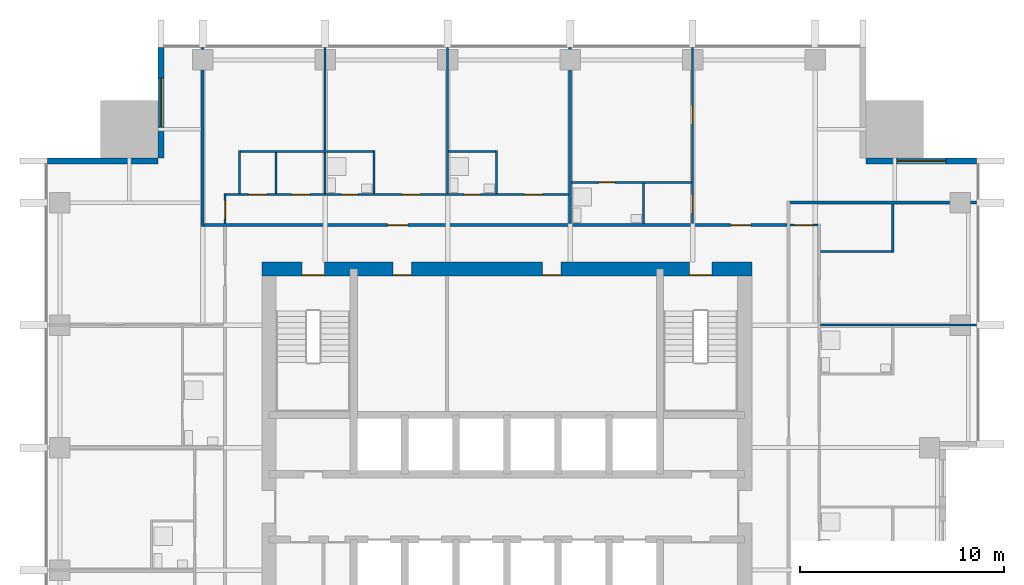
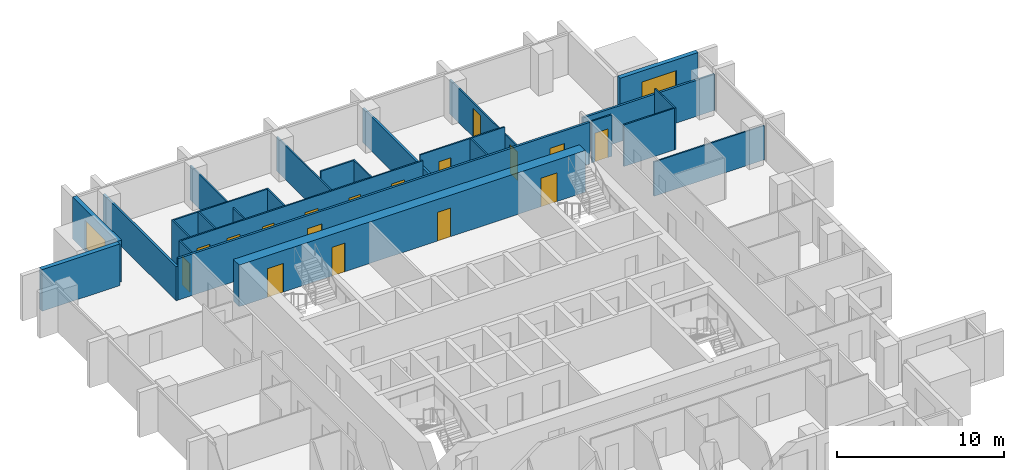
# One storey, part 7 of 10: 25 walls, 17 doors, 2 windows, 19 openings.
"""IFC4 building model written with IfcOpenShell, lengths in metres."""

from ifc_helpers import new_model, si_unit, direction, frame, frame_2d, origin, place, context, subcontext, project, spatial, rectangle, extrude, material, layer, layer_set, type_object, element, fill, save


model = new_model("IFC4")

# Units and contexts
model_context = context("Model", 3, precision=1e-05, world=origin(), true_north=direction((0.0, 1.0)))
body_context = subcontext(model_context, "Body", "Model", "MODEL_VIEW")
ifc_project = project(units=[si_unit("LENGTHUNIT", "METRE"), si_unit("AREAUNIT", "SQUARE_METRE"), si_unit("VOLUMEUNIT", "CUBIC_METRE"), si_unit("PLANEANGLEUNIT", "RADIAN"), si_unit("MASSUNIT", "GRAM", prefix="KILO")], contexts=[model_context])

# Site, building, storey
site_placement = place(None, origin())
site = spatial("IfcSite", under=ifc_project, at=site_placement, CompositionType="ELEMENT")
building_placement = place(site_placement, origin())
building = spatial("IfcBuilding", under=site, at=building_placement, Name="Amberfall Residences", CompositionType="ELEMENT")
storey_placement = place(building_placement, frame((0.0, 0.0, 137.199951171875)))
storey = spatial("IfcBuildingStorey", under=building, at=storey_placement, Name="L36", CompositionType="ELEMENT", Elevation=137.199951171875)

# Wall, opening, window
ifc_material_1 = material(Name="Pale stone cladding on insulated backing", Category="masonry")
ifc_layer_1 = layer(ifc_material_1, 0.300048828125)
ifc_layer_set_1 = layer_set([ifc_layer_1], Name="Bronze clad wall 300")
wall_type_1 = type_object("IfcWallType", Name="Bronze clad wall 300", PredefinedType="SOLIDWALL", material=ifc_layer_set_1)
wall_1_placement = place(storey_placement, frame((97.5, 62.449951171875, 0.0), z_axis=(0.0, 0.0, 1.0), x_axis=(-1.0, 0.0, 0.0)))
wall_1 = element("IfcWall", 1, at=wall_1_placement, inside=storey, type_object=wall_type_1, Name="External wall L36 NE", PredefinedType="SOLIDWALL", context=body_context, shape_type="SweptSolid", body=[
    extrude(rectangle(XDim=5.39990234375, YDim=0.300048828125, at=frame_2d((2.699951171875, 0.0))), origin(), (0.0, 0.0, 1.0), 3.050048828125),
])
opening_1_placement = place(wall_1_placement, frame((1.5, 0.0, 0.14990234375)))
opening_1 = element("IfcOpeningElement", 2, at=opening_1_placement, cuts=wall_1, Name="Opening WN5", PredefinedType="OPENING", context=body_context, shape_type="SweptSolid", body=[
    extrude(rectangle(XDim=2.39990234375, YDim=2.10009765625, at=frame_2d((1.199951171875, 1.050048828125))), frame((0.0, 0.159912109375, 0.0), z_axis=(0.0, -1.0, 0.0), x_axis=(1.0, 0.0, 0.0)), (0.0, 0.0, 1.0), 0.320068359375),
])
ifc_material_2 = material(Name="Bronze aluminium framed glazing", Category="aluminium")
window_type = type_object("IfcWindowType", Name="Glazed opening 2400 x 2100 bronze", PartitioningType="DOUBLE_PANEL_VERTICAL", PredefinedType="WINDOW", material=ifc_material_2)
window_1_placement = place(opening_1_placement, origin())
window_1 = element("IfcWindow", 3, at=window_1_placement, inside=storey, type_object=window_type, Name="Window L36 NE", OverallHeight=2.10009765625, OverallWidth=2.39990234375, PartitioningType="DOUBLE_PANEL_VERTICAL", PredefinedType="WINDOW", context=body_context, shape_type="SweptSolid", body=[
    extrude(rectangle(XDim=2.39990234375, YDim=2.10009765625, at=frame_2d((1.199951171875, 1.050048828125))), frame((0.0, 0.030029296875, 0.0), z_axis=(0.0, -1.0, 0.0), x_axis=(1.0, 0.0, 0.0)), (0.0, 0.0, 1.0), 0.06005859375),
])
fill(opening_1, window_1)

wall_2_placement = place(storey_placement, frame((57.550048828125, 68.0, 0.0), z_axis=(0.0, 0.0, 1.0), x_axis=(0.0, -1.0, 0.0)))
wall_2 = element("IfcWall", 4, at=wall_2_placement, inside=storey, type_object=wall_type_1, Name="External wall L36 NW", PredefinedType="SOLIDWALL", context=body_context, shape_type="SweptSolid", body=[
    extrude(rectangle(XDim=5.39990234375, YDim=0.300048828125, at=frame_2d((2.699951171875, 0.0))), origin(), (0.0, 0.0, 1.0), 3.050048828125),
])
opening_2_placement = place(wall_2_placement, frame((1.5, 0.0, 0.14990234375)))
opening_2 = element("IfcOpeningElement", 5, at=opening_2_placement, cuts=wall_2, Name="Opening WN5", PredefinedType="OPENING", context=body_context, shape_type="SweptSolid", body=[
    extrude(rectangle(XDim=2.39990234375, YDim=2.10009765625, at=frame_2d((1.199951171875, 1.050048828125))), frame((0.0, 0.159912109375, 0.0), z_axis=(0.0, -1.0, 0.0), x_axis=(1.0, 0.0, 0.0)), (0.0, 0.0, 1.0), 0.320068359375),
])
window_2_placement = place(opening_2_placement, origin())
window_2 = element("IfcWindow", 6, at=window_2_placement, inside=storey, type_object=window_type, Name="Window L36 NW", OverallHeight=2.10009765625, OverallWidth=2.39990234375, PartitioningType="DOUBLE_PANEL_VERTICAL", PredefinedType="WINDOW", context=body_context, shape_type="SweptSolid", body=[
    extrude(rectangle(XDim=2.39990234375, YDim=2.10009765625, at=frame_2d((1.199951171875, 1.050048828125))), frame((0.0, 0.030029296875, 0.0), z_axis=(0.0, -1.0, 0.0), x_axis=(1.0, 0.0, 0.0)), (0.0, 0.0, 1.0), 0.06005859375),
])
fill(opening_2, window_2)

# Wall
wall_3_placement = place(storey_placement, frame((57.39990234375, 62.449951171875, 0.0), z_axis=(0.0, 0.0, 1.0), x_axis=(-1.0, 0.0, 0.0)))
element("IfcWall", 7, at=wall_3_placement, inside=storey, type_object=wall_type_1, Name="External wall L36 NW", PredefinedType="SOLIDWALL", context=body_context, shape_type="SweptSolid", body=[
    extrude(rectangle(XDim=5.39990234375, YDim=0.300048828125, at=frame_2d((2.699951171875, 0.0))), origin(), (0.0, 0.0, 1.0), 3.050048828125),
])

# Wall, openings, doors
ifc_material_3 = material(Name="Concrete C60", Category="concrete")
ifc_layer_2 = layer(ifc_material_3, 0.699951171875)
ifc_layer_set_2 = layer_set([ifc_layer_2], Name="Core wall 700 C60")
wall_type_2 = type_object("IfcWallType", Name="Core wall 700 C60", PredefinedType="SHEAR", material=ifc_layer_set_2)
wall_4_placement = place(storey_placement, frame((62.5, 57.14990234375, 0.0), z_axis=(0.0, 0.0, 1.0), x_axis=(1.0, 0.0, 0.0)))
wall_4 = element("IfcWall", 8, at=wall_4_placement, inside=storey, type_object=wall_type_2, Name="Core wall RW5 L36 ON", PredefinedType="SHEAR", context=body_context, shape_type="SweptSolid", body=[
    extrude(rectangle(XDim=24.0, YDim=0.699951171875, at=frame_2d((12.0, 0.0))), origin(), (0.0, 0.0, 1.0), 3.050048828125),
])
opening_3_placement = place(wall_4_placement, frame((20.9375, 0.0, 0.0)))
opening_3 = element("IfcOpeningElement", 9, at=opening_3_placement, cuts=wall_4, Name="Opening SD1", PredefinedType="OPENING", context=body_context, shape_type="SweptSolid", body=[
    extrude(rectangle(XDim=1.10009765625, YDim=2.10009765625, at=frame_2d((0.550048828125, 1.050048828125))), frame((0.0, 0.35986328125, 0.0), z_axis=(0.0, -1.0, 0.0), x_axis=(1.0, 0.0, 0.0)), (0.0, 0.0, 1.0), 0.719970703125),
])
opening_4_placement = place(wall_4_placement, frame((1.96240234375, 0.0, 0.0)))
opening_4 = element("IfcOpeningElement", 10, at=opening_4_placement, cuts=wall_4, Name="Opening SD1", PredefinedType="OPENING", context=body_context, shape_type="SweptSolid", body=[
    extrude(rectangle(XDim=1.10009765625, YDim=2.10009765625, at=frame_2d((0.550048828125, 1.050048828125))), frame((0.0, 0.35986328125, 0.0), z_axis=(0.0, -1.0, 0.0), x_axis=(1.0, 0.0, 0.0)), (0.0, 0.0, 1.0), 0.719970703125),
])
opening_5_placement = place(wall_4_placement, frame((6.422607421875, 0.0, 0.0)))
opening_5 = element("IfcOpeningElement", 11, at=opening_5_placement, cuts=wall_4, Name="Opening RD1", PredefinedType="OPENING", context=body_context, shape_type="SweptSolid", body=[
    extrude(rectangle(XDim=0.89990234375, YDim=2.10009765625, at=frame_2d((0.449951171875, 1.050048828125))), frame((0.0, 0.35986328125, 0.0), z_axis=(0.0, -1.0, 0.0), x_axis=(1.0, 0.0, 0.0)), (0.0, 0.0, 1.0), 0.719970703125),
])
opening_6_placement = place(wall_4_placement, frame((13.74755859375, 0.0, 0.0)))
opening_6 = element("IfcOpeningElement", 12, at=opening_6_placement, cuts=wall_4, Name="Opening RD1", PredefinedType="OPENING", context=body_context, shape_type="SweptSolid", body=[
    extrude(rectangle(XDim=0.89990234375, YDim=2.10009765625, at=frame_2d((0.449951171875, 1.050048828125))), frame((0.0, 0.35986328125, 0.0), z_axis=(0.0, -1.0, 0.0), x_axis=(1.0, 0.0, 0.0)), (0.0, 0.0, 1.0), 0.719970703125),
])
ifc_material_4 = material(Name="Steel fire door set", Category="steel")
door_type_1 = type_object("IfcDoorType", Name="Service room door 900 x 2100", OperationType="SINGLE_SWING_LEFT", PredefinedType="DOOR", material=ifc_material_4)
door_1_placement = place(opening_5_placement, origin())
door_1 = element("IfcDoor", 13, at=door_1_placement, inside=storey, type_object=door_type_1, Name="RD1 L36", OperationType="SINGLE_SWING_RIGHT", OverallHeight=2.10009765625, OverallWidth=0.89990234375, PredefinedType="DOOR", context=body_context, shape_type="SweptSolid", body=[
    extrude(rectangle(XDim=0.89990234375, YDim=2.10009765625, at=frame_2d((0.449951171875, 1.050048828125))), frame((0.0, -0.28759765625, 0.0), z_axis=(0.0, -1.0, 0.0), x_axis=(1.0, 0.0, 0.0)), (0.0, 0.0, 1.0), 0.050048828125),
])
fill(opening_5, door_1)
door_2_placement = place(opening_6_placement, origin())
door_2 = element("IfcDoor", 14, at=door_2_placement, inside=storey, type_object=door_type_1, Name="RD1 L36", OperationType="SINGLE_SWING_RIGHT", OverallHeight=2.10009765625, OverallWidth=0.89990234375, PredefinedType="DOOR", context=body_context, shape_type="SweptSolid", body=[
    extrude(rectangle(XDim=0.89990234375, YDim=2.10009765625, at=frame_2d((0.449951171875, 1.050048828125))), frame((0.0, -0.28759765625, 0.0), z_axis=(0.0, -1.0, 0.0), x_axis=(1.0, 0.0, 0.0)), (0.0, 0.0, 1.0), 0.050048828125),
])
fill(opening_6, door_2)
door_type_2 = type_object("IfcDoorType", Name="Stair door 1100 x 2100", OperationType="SINGLE_SWING_LEFT", PredefinedType="DOOR", material=ifc_material_4)
door_3_placement = place(opening_3_placement, origin())
door_3 = element("IfcDoor", 15, at=door_3_placement, inside=storey, type_object=door_type_2, Name="SD1 L36", OperationType="SINGLE_SWING_RIGHT", OverallHeight=2.10009765625, OverallWidth=1.10009765625, PredefinedType="DOOR", context=body_context, shape_type="SweptSolid", body=[
    extrude(rectangle(XDim=1.10009765625, YDim=2.10009765625, at=frame_2d((0.550048828125, 1.050048828125))), frame((0.0, -0.28759765625, 0.0), z_axis=(0.0, -1.0, 0.0), x_axis=(1.0, 0.0, 0.0)), (0.0, 0.0, 1.0), 0.050048828125),
])
fill(opening_3, door_3)
door_4_placement = place(opening_4_placement, origin())
door_4 = element("IfcDoor", 16, at=door_4_placement, inside=storey, type_object=door_type_2, Name="SD1 L36", OperationType="SINGLE_SWING_LEFT", OverallHeight=2.10009765625, OverallWidth=1.10009765625, PredefinedType="DOOR", context=body_context, shape_type="SweptSolid", body=[
    extrude(rectangle(XDim=1.10009765625, YDim=2.10009765625, at=frame_2d((0.550048828125, 1.050048828125))), frame((0.0, -0.28759765625, 0.0), z_axis=(0.0, -1.0, 0.0), x_axis=(1.0, 0.0, 0.0)), (0.0, 0.0, 1.0), 0.050048828125),
])
fill(opening_4, door_4)

# Wall, opening, door
ifc_material_5 = material(Name="Gypsum board on metal stud")
ifc_layer_3 = layer(ifc_material_5, 0.10009765625)
ifc_layer_set_3 = layer_set([ifc_layer_3], Name="Flat partition 100")
wall_type_3 = type_object("IfcWallType", Name="Flat partition 100", PredefinedType="PARTITIONING", material=ifc_layer_set_3)
wall_5_placement = place(storey_placement, frame((60.699951171875, 60.85009765625, 0.0), z_axis=(0.0, 0.0, 1.0), x_axis=(0.0, -1.0, 0.0)))
wall_5 = element("IfcWall", 17, at=wall_5_placement, inside=storey, type_object=wall_type_3, Name="Partition 005", PredefinedType="PARTITIONING", context=body_context, shape_type="SweptSolid", body=[
    extrude(rectangle(XDim=1.47509765625, YDim=0.10009765625, at=frame_2d((0.737548828125, 0.0))), origin(), (0.0, 0.0, 1.0), 3.050048828125),
])
opening_7_placement = place(wall_5_placement, frame((0.35009765625, 0.0, 0.0)))
opening_7 = element("IfcOpeningElement", 18, at=opening_7_placement, cuts=wall_5, Name="Opening D41", PredefinedType="OPENING", context=body_context, shape_type="SweptSolid", body=[
    extrude(rectangle(XDim=0.89990234375, YDim=2.10009765625, at=frame_2d((0.449951171875, 1.050048828125))), frame((0.0, 0.06005859375, 0.0), z_axis=(0.0, -1.0, 0.0), x_axis=(1.0, 0.0, 0.0)), (0.0, 0.0, 1.0), 0.1201171875),
])
ifc_material_6 = material(Name="Timber", Category="wood")
door_type_3 = type_object("IfcDoorType", Name="Internal door 900 x 2100", OperationType="SINGLE_SWING_LEFT", PredefinedType="DOOR", material=ifc_material_6)
door_5_placement = place(opening_7_placement, origin())
door_5 = element("IfcDoor", 19, at=door_5_placement, inside=storey, type_object=door_type_3, Name="Door 3605 living", OperationType="SINGLE_SWING_LEFT", OverallHeight=2.10009765625, OverallWidth=0.89990234375, PredefinedType="DOOR", context=body_context, shape_type="SweptSolid", body=[
    extrude(rectangle(XDim=0.89990234375, YDim=2.10009765625, at=frame_2d((0.449951171875, 1.050048828125))), frame((0.0, 0.02490234375, 0.0), z_axis=(0.0, -1.0, 0.0), x_axis=(1.0, 0.0, 0.0)), (0.0, 0.0, 1.0), 0.050048828125),
])
fill(opening_7, door_5)

# Walls
wall_6_placement = place(storey_placement, frame((61.39990234375, 60.85009765625, 0.0), z_axis=(0.0, 0.0, 1.0), x_axis=(0.0, 1.0, 0.0)))
element("IfcWall", 20, at=wall_6_placement, inside=storey, type_object=wall_type_3, Name="Partition 006", PredefinedType="PARTITIONING", context=body_context, shape_type="SweptSolid", body=[
    extrude(rectangle(XDim=2.099853515625, YDim=0.10009765625, at=frame_2d((1.0498046875, 0.0))), origin(), (0.0, 0.0, 1.0), 3.050048828125),
])
wall_7_placement = place(storey_placement, frame((63.199951171875, 60.85009765625, 0.0), z_axis=(0.0, 0.0, 1.0), x_axis=(0.0, 1.0, 0.0)))
element("IfcWall", 21, at=wall_7_placement, inside=storey, type_object=wall_type_3, Name="Partition 007", PredefinedType="PARTITIONING", context=body_context, shape_type="SweptSolid", body=[
    extrude(rectangle(XDim=2.0, YDim=0.10009765625, at=frame_2d((1.0, 0.0))), origin(), (0.0, 0.0, 1.0), 3.050048828125),
])
wall_8_placement = place(storey_placement, frame((65.60009765625, 60.85009765625, 0.0), z_axis=(0.0, 0.0, 1.0), x_axis=(0.0, 1.0, 0.0)))
element("IfcWall", 22, at=wall_8_placement, inside=storey, type_object=wall_type_3, Name="Partition 009", PredefinedType="PARTITIONING", context=body_context, shape_type="SweptSolid", body=[
    extrude(rectangle(XDim=7.14990234375, YDim=0.10009765625, at=frame_2d((3.574951171875, 0.0))), origin(), (0.0, 0.0, 1.0), 2.51611328125),
])
wall_9_placement = place(storey_placement, frame((68.0, 60.85009765625, 0.0), z_axis=(0.0, 0.0, 1.0), x_axis=(0.0, 1.0, 0.0)))
element("IfcWall", 23, at=wall_9_placement, inside=storey, type_object=wall_type_3, Name="Partition 011", PredefinedType="PARTITIONING", context=body_context, shape_type="SweptSolid", body=[
    extrude(rectangle(XDim=2.099853515625, YDim=0.10009765625, at=frame_2d((1.0498046875, 0.0))), origin(), (0.0, 0.0, 1.0), 3.050048828125),
])
wall_10_placement = place(storey_placement, frame((71.60009765625, 60.85009765625, 0.0), z_axis=(0.0, 0.0, 1.0), x_axis=(0.0, 1.0, 0.0)))
element("IfcWall", 24, at=wall_10_placement, inside=storey, type_object=wall_type_3, Name="Partition 012", PredefinedType="PARTITIONING", context=body_context, shape_type="SweptSolid", body=[
    extrude(rectangle(XDim=7.14990234375, YDim=0.10009765625, at=frame_2d((3.574951171875, 0.0))), origin(), (0.0, 0.0, 1.0), 2.51611328125),
])
wall_11_placement = place(storey_placement, frame((74.0, 60.85009765625, 0.0), z_axis=(0.0, 0.0, 1.0), x_axis=(0.0, 1.0, 0.0)))
element("IfcWall", 25, at=wall_11_placement, inside=storey, type_object=wall_type_3, Name="Partition 013", PredefinedType="PARTITIONING", context=body_context, shape_type="SweptSolid", body=[
    extrude(rectangle(XDim=2.099853515625, YDim=0.10009765625, at=frame_2d((1.0498046875, 0.0))), origin(), (0.0, 0.0, 1.0), 3.050048828125),
])
wall_12_placement = place(storey_placement, frame((81.199951171875, 59.375, 0.0), z_axis=(0.0, 0.0, 1.0), x_axis=(0.0, 1.0, 0.0)))
element("IfcWall", 26, at=wall_12_placement, inside=storey, type_object=wall_type_3, Name="Partition 017", PredefinedType="PARTITIONING", context=body_context, shape_type="SweptSolid", body=[
    extrude(rectangle(XDim=1.97509765625, YDim=0.10009765625, at=frame_2d((0.987548828125, 0.0))), origin(), (0.0, 0.0, 1.0), 3.050048828125),
])

# Wall, openings, doors
wall_13_placement = place(storey_placement, frame((83.60009765625, 59.375, 0.0), z_axis=(0.0, 0.0, 1.0), x_axis=(0.0, 1.0, 0.0)))
wall_13 = element("IfcWall", 27, at=wall_13_placement, inside=storey, type_object=wall_type_3, Name="Partition 018", PredefinedType="PARTITIONING", context=body_context, shape_type="SweptSolid", body=[
    extrude(rectangle(XDim=8.625, YDim=0.10009765625, at=frame_2d((4.3125, 0.0))), origin(), (0.0, 0.0, 1.0), 2.51611328125),
])
opening_8_placement = place(wall_13_placement, frame((0.52490234375, 0.0, 0.0)))
opening_8 = element("IfcOpeningElement", 28, at=opening_8_placement, cuts=wall_13, Name="Opening D41", PredefinedType="OPENING", context=body_context, shape_type="SweptSolid", body=[
    extrude(rectangle(XDim=0.89990234375, YDim=2.10009765625, at=frame_2d((0.449951171875, 1.050048828125))), frame((0.0, 0.06005859375, 0.0), z_axis=(0.0, -1.0, 0.0), x_axis=(1.0, 0.0, 0.0)), (0.0, 0.0, 1.0), 0.1201171875),
])
opening_9_placement = place(wall_13_placement, frame((4.875, 0.0, 0.0)))
opening_9 = element("IfcOpeningElement", 29, at=opening_9_placement, cuts=wall_13, Name="Opening D41", PredefinedType="OPENING", context=body_context, shape_type="SweptSolid", body=[
    extrude(rectangle(XDim=0.89990234375, YDim=2.10009765625, at=frame_2d((0.449951171875, 1.050048828125))), frame((0.0, 0.06005859375, 0.0), z_axis=(0.0, -1.0, 0.0), x_axis=(1.0, 0.0, 0.0)), (0.0, 0.0, 1.0), 0.1201171875),
])
door_6_placement = place(opening_8_placement, origin())
door_6 = element("IfcDoor", 30, at=door_6_placement, inside=storey, type_object=door_type_3, Name="Door 3606 kitchen", OperationType="SINGLE_SWING_LEFT", OverallHeight=2.10009765625, OverallWidth=0.89990234375, PredefinedType="DOOR", context=body_context, shape_type="SweptSolid", body=[
    extrude(rectangle(XDim=0.89990234375, YDim=2.10009765625, at=frame_2d((0.449951171875, 1.050048828125))), frame((0.0, 0.02490234375, 0.0), z_axis=(0.0, -1.0, 0.0), x_axis=(1.0, 0.0, 0.0)), (0.0, 0.0, 1.0), 0.050048828125),
])
fill(opening_8, door_6)
door_7_placement = place(opening_9_placement, origin())
door_7 = element("IfcDoor", 31, at=door_7_placement, inside=storey, type_object=door_type_3, Name="Door 3606 bedroom1", OperationType="SINGLE_SWING_LEFT", OverallHeight=2.10009765625, OverallWidth=0.89990234375, PredefinedType="DOOR", context=body_context, shape_type="SweptSolid", body=[
    extrude(rectangle(XDim=0.89990234375, YDim=2.10009765625, at=frame_2d((0.449951171875, 1.050048828125))), frame((0.0, 0.02490234375, 0.0), z_axis=(0.0, -1.0, 0.0), x_axis=(1.0, 0.0, 0.0)), (0.0, 0.0, 1.0), 0.050048828125),
])
fill(opening_9, door_7)

# Walls
wall_14_placement = place(storey_placement, frame((93.39990234375, 57.949951171875, 0.0), z_axis=(0.0, 0.0, 1.0), x_axis=(0.0, 1.0, 0.0)))
element("IfcWall", 32, at=wall_14_placement, inside=storey, type_object=wall_type_3, Name="Partition 025", PredefinedType="PARTITIONING", context=body_context, shape_type="SweptSolid", body=[
    extrude(rectangle(XDim=2.375, YDim=0.10009765625, at=frame_2d((1.1875, 0.0))), origin(), (0.0, 0.0, 1.0), 3.050048828125),
])
wall_15_placement = place(storey_placement, frame((61.449951171875, 62.89990234375, 0.0), z_axis=(0.0, 0.0, 1.0), x_axis=(1.0, 0.0, 0.0)))
element("IfcWall", 33, at=wall_15_placement, inside=storey, type_object=wall_type_3, Name="Partition 026", PredefinedType="PARTITIONING", context=body_context, shape_type="SweptSolid", body=[
    extrude(rectangle(XDim=6.5, YDim=0.10009765625, at=frame_2d((3.25, 0.0))), origin(), (0.0, 0.0, 1.0), 3.050048828125),
])
wall_16_placement = place(storey_placement, frame((71.64990234375, 62.89990234375, 0.0), z_axis=(0.0, 0.0, 1.0), x_axis=(1.0, 0.0, 0.0)))
element("IfcWall", 34, at=wall_16_placement, inside=storey, type_object=wall_type_3, Name="Partition 027", PredefinedType="PARTITIONING", context=body_context, shape_type="SweptSolid", body=[
    extrude(rectangle(XDim=2.300048828125, YDim=0.10009765625, at=frame_2d((1.14990234375, 0.0))), origin(), (0.0, 0.0, 1.0), 3.050048828125),
])

# Wall, opening, door
wall_17_placement = place(storey_placement, frame((83.550048828125, 61.39990234375, 0.0), z_axis=(0.0, 0.0, 1.0), x_axis=(-1.0, 0.0, 0.0)))
wall_17 = element("IfcWall", 35, at=wall_17_placement, inside=storey, type_object=wall_type_3, Name="Partition 028", PredefinedType="PARTITIONING", context=body_context, shape_type="SweptSolid", body=[
    extrude(rectangle(XDim=5.875, YDim=0.10009765625, at=frame_2d((2.9375, 0.0))), origin(), (0.0, 0.0, 1.0), 3.050048828125),
])
opening_10_placement = place(wall_17_placement, frame((3.75, 0.0, 0.0)))
opening_10 = element("IfcOpeningElement", 36, at=opening_10_placement, cuts=wall_17, Name="Opening D42", PredefinedType="OPENING", context=body_context, shape_type="SweptSolid", body=[
    extrude(rectangle(XDim=0.800048828125, YDim=2.10009765625, at=frame_2d((0.39990234375, 1.050048828125))), frame((0.0, 0.06005859375, 0.0), z_axis=(0.0, -1.0, 0.0), x_axis=(1.0, 0.0, 0.0)), (0.0, 0.0, 1.0), 0.1201171875),
])
door_type_4 = type_object("IfcDoorType", Name="Bathroom door 800 x 2100", OperationType="SINGLE_SWING_LEFT", PredefinedType="DOOR", material=ifc_material_6)
door_8_placement = place(opening_10_placement, origin())
door_8 = element("IfcDoor", 37, at=door_8_placement, inside=storey, type_object=door_type_4, Name="Door 3606 bath1", OperationType="SINGLE_SWING_LEFT", OverallHeight=2.10009765625, OverallWidth=0.800048828125, PredefinedType="DOOR", context=body_context, shape_type="SweptSolid", body=[
    extrude(rectangle(XDim=0.800048828125, YDim=2.10009765625, at=frame_2d((0.39990234375, 1.050048828125))), frame((0.0, 0.02490234375, 0.0), z_axis=(0.0, -1.0, 0.0), x_axis=(1.0, 0.0, 0.0)), (0.0, 0.0, 1.0), 0.050048828125),
])
fill(opening_10, door_8)

# Wall, openings, doors
wall_18_placement = place(storey_placement, frame((60.75, 60.800048828125, 0.0), z_axis=(0.0, 0.0, 1.0), x_axis=(1.0, 0.0, 0.0)))
wall_18 = element("IfcWall", 38, at=wall_18_placement, inside=storey, type_object=wall_type_3, Name="Partition 029", PredefinedType="PARTITIONING", context=body_context, shape_type="SweptSolid", body=[
    extrude(rectangle(XDim=16.77490234375, YDim=0.10009765625, at=frame_2d((8.387451171875, 0.0))), origin(), (0.0, 0.0, 1.0), 3.050048828125),
])
opening_11_placement = place(wall_18_placement, frame((3.199951171875, 0.0, 0.0)))
opening_11 = element("IfcOpeningElement", 39, at=opening_11_placement, cuts=wall_18, Name="Opening D41", PredefinedType="OPENING", context=body_context, shape_type="SweptSolid", body=[
    extrude(rectangle(XDim=0.89990234375, YDim=2.10009765625, at=frame_2d((0.449951171875, 1.050048828125))), frame((0.0, 0.06005859375, 0.0), z_axis=(0.0, -1.0, 0.0), x_axis=(1.0, 0.0, 0.0)), (0.0, 0.0, 1.0), 0.1201171875),
])
opening_12_placement = place(wall_18_placement, frame((1.10009765625, 0.0, 0.0)))
opening_12 = element("IfcOpeningElement", 40, at=opening_12_placement, cuts=wall_18, Name="Opening D41", PredefinedType="OPENING", context=body_context, shape_type="SweptSolid", body=[
    extrude(rectangle(XDim=0.89990234375, YDim=2.10009765625, at=frame_2d((0.449951171875, 1.050048828125))), frame((0.0, 0.06005859375, 0.0), z_axis=(0.0, -1.0, 0.0), x_axis=(1.0, 0.0, 0.0)), (0.0, 0.0, 1.0), 0.1201171875),
])
opening_13_placement = place(wall_18_placement, frame((8.60009765625, 0.0, 0.0)))
opening_13 = element("IfcOpeningElement", 41, at=opening_13_placement, cuts=wall_18, Name="Opening D41", PredefinedType="OPENING", context=body_context, shape_type="SweptSolid", body=[
    extrude(rectangle(XDim=0.89990234375, YDim=2.10009765625, at=frame_2d((0.449951171875, 1.050048828125))), frame((0.0, 0.06005859375, 0.0), z_axis=(0.0, -1.0, 0.0), x_axis=(1.0, 0.0, 0.0)), (0.0, 0.0, 1.0), 0.1201171875),
])
opening_14_placement = place(wall_18_placement, frame((14.60009765625, 0.0, 0.0)))
opening_14 = element("IfcOpeningElement", 42, at=opening_14_placement, cuts=wall_18, Name="Opening D41", PredefinedType="OPENING", context=body_context, shape_type="SweptSolid", body=[
    extrude(rectangle(XDim=0.89990234375, YDim=2.10009765625, at=frame_2d((0.449951171875, 1.050048828125))), frame((0.0, 0.06005859375, 0.0), z_axis=(0.0, -1.0, 0.0), x_axis=(1.0, 0.0, 0.0)), (0.0, 0.0, 1.0), 0.1201171875),
])
opening_15_placement = place(wall_18_placement, frame((5.64990234375, 0.0, 0.0)))
opening_15 = element("IfcOpeningElement", 43, at=opening_15_placement, cuts=wall_18, Name="Opening D42", PredefinedType="OPENING", context=body_context, shape_type="SweptSolid", body=[
    extrude(rectangle(XDim=0.800048828125, YDim=2.10009765625, at=frame_2d((0.39990234375, 1.050048828125))), frame((0.0, 0.06005859375, 0.0), z_axis=(0.0, -1.0, 0.0), x_axis=(1.0, 0.0, 0.0)), (0.0, 0.0, 1.0), 0.1201171875),
])
opening_16_placement = place(wall_18_placement, frame((11.64990234375, 0.0, 0.0)))
opening_16 = element("IfcOpeningElement", 44, at=opening_16_placement, cuts=wall_18, Name="Opening D42", PredefinedType="OPENING", context=body_context, shape_type="SweptSolid", body=[
    extrude(rectangle(XDim=0.800048828125, YDim=2.10009765625, at=frame_2d((0.39990234375, 1.050048828125))), frame((0.0, 0.06005859375, 0.0), z_axis=(0.0, -1.0, 0.0), x_axis=(1.0, 0.0, 0.0)), (0.0, 0.0, 1.0), 0.1201171875),
])
door_9_placement = place(opening_15_placement, origin())
door_9 = element("IfcDoor", 45, at=door_9_placement, inside=storey, type_object=door_type_4, Name="Door 3605 bath1", OperationType="SINGLE_SWING_LEFT", OverallHeight=2.10009765625, OverallWidth=0.800048828125, PredefinedType="DOOR", context=body_context, shape_type="SweptSolid", body=[
    extrude(rectangle(XDim=0.800048828125, YDim=2.10009765625, at=frame_2d((0.39990234375, 1.050048828125))), frame((0.0, 0.02490234375, 0.0), z_axis=(0.0, -1.0, 0.0), x_axis=(1.0, 0.0, 0.0)), (0.0, 0.0, 1.0), 0.050048828125),
])
fill(opening_15, door_9)
door_10_placement = place(opening_16_placement, origin())
door_10 = element("IfcDoor", 46, at=door_10_placement, inside=storey, type_object=door_type_4, Name="Door 3605 bath2", OperationType="SINGLE_SWING_LEFT", OverallHeight=2.10009765625, OverallWidth=0.800048828125, PredefinedType="DOOR", context=body_context, shape_type="SweptSolid", body=[
    extrude(rectangle(XDim=0.800048828125, YDim=2.10009765625, at=frame_2d((0.39990234375, 1.050048828125))), frame((0.0, 0.02490234375, 0.0), z_axis=(0.0, -1.0, 0.0), x_axis=(1.0, 0.0, 0.0)), (0.0, 0.0, 1.0), 0.050048828125),
])
fill(opening_16, door_10)
door_11_placement = place(opening_11_placement, origin())
door_11 = element("IfcDoor", 47, at=door_11_placement, inside=storey, type_object=door_type_3, Name="Door 3605 kitchen", OperationType="SINGLE_SWING_LEFT", OverallHeight=2.10009765625, OverallWidth=0.89990234375, PredefinedType="DOOR", context=body_context, shape_type="SweptSolid", body=[
    extrude(rectangle(XDim=0.89990234375, YDim=2.10009765625, at=frame_2d((0.449951171875, 1.050048828125))), frame((0.0, 0.02490234375, 0.0), z_axis=(0.0, -1.0, 0.0), x_axis=(1.0, 0.0, 0.0)), (0.0, 0.0, 1.0), 0.050048828125),
])
fill(opening_11, door_11)
door_12_placement = place(opening_12_placement, origin())
door_12 = element("IfcDoor", 48, at=door_12_placement, inside=storey, type_object=door_type_3, Name="Door 3605 utility", OperationType="SINGLE_SWING_LEFT", OverallHeight=2.10009765625, OverallWidth=0.89990234375, PredefinedType="DOOR", context=body_context, shape_type="SweptSolid", body=[
    extrude(rectangle(XDim=0.89990234375, YDim=2.10009765625, at=frame_2d((0.449951171875, 1.050048828125))), frame((0.0, 0.02490234375, 0.0), z_axis=(0.0, -1.0, 0.0), x_axis=(1.0, 0.0, 0.0)), (0.0, 0.0, 1.0), 0.050048828125),
])
fill(opening_12, door_12)
door_13_placement = place(opening_13_placement, origin())
door_13 = element("IfcDoor", 49, at=door_13_placement, inside=storey, type_object=door_type_3, Name="Door 3605 bedroom1", OperationType="SINGLE_SWING_LEFT", OverallHeight=2.10009765625, OverallWidth=0.89990234375, PredefinedType="DOOR", context=body_context, shape_type="SweptSolid", body=[
    extrude(rectangle(XDim=0.89990234375, YDim=2.10009765625, at=frame_2d((0.449951171875, 1.050048828125))), frame((0.0, 0.02490234375, 0.0), z_axis=(0.0, -1.0, 0.0), x_axis=(1.0, 0.0, 0.0)), (0.0, 0.0, 1.0), 0.050048828125),
])
fill(opening_13, door_13)
door_14_placement = place(opening_14_placement, origin())
door_14 = element("IfcDoor", 50, at=door_14_placement, inside=storey, type_object=door_type_3, Name="Door 3605 bedroom2", OperationType="SINGLE_SWING_LEFT", OverallHeight=2.10009765625, OverallWidth=0.89990234375, PredefinedType="DOOR", context=body_context, shape_type="SweptSolid", body=[
    extrude(rectangle(XDim=0.89990234375, YDim=2.10009765625, at=frame_2d((0.449951171875, 1.050048828125))), frame((0.0, 0.02490234375, 0.0), z_axis=(0.0, -1.0, 0.0), x_axis=(1.0, 0.0, 0.0)), (0.0, 0.0, 1.0), 0.050048828125),
])
fill(opening_14, door_14)

# Wall, opening, door
wall_19_placement = place(storey_placement, frame((89.75, 59.300048828125, 0.0), z_axis=(0.0, 0.0, 1.0), x_axis=(-1.0, 0.0, 0.0)))
wall_19 = element("IfcWall", 51, at=wall_19_placement, inside=storey, type_object=wall_type_3, Name="Partition 030", PredefinedType="PARTITIONING", context=body_context, shape_type="SweptSolid", body=[
    extrude(rectangle(XDim=1.375, YDim=0.10009765625, at=frame_2d((0.6875, 0.0))), origin(), (0.0, 0.0, 1.0), 3.050048828125),
])
opening_17_placement = place(wall_19_placement, frame((0.25, 0.0, 0.0)))
opening_17 = element("IfcOpeningElement", 52, at=opening_17_placement, cuts=wall_19, Name="Opening D41", PredefinedType="OPENING", context=body_context, shape_type="SweptSolid", body=[
    extrude(rectangle(XDim=0.89990234375, YDim=2.10009765625, at=frame_2d((0.449951171875, 1.050048828125))), frame((0.0, 0.06005859375, 0.0), z_axis=(0.0, -1.0, 0.0), x_axis=(1.0, 0.0, 0.0)), (0.0, 0.0, 1.0), 0.1201171875),
])
door_15_placement = place(opening_17_placement, origin())
door_15 = element("IfcDoor", 53, at=door_15_placement, inside=storey, type_object=door_type_3, Name="Door 3604 kitchen", OperationType="SINGLE_SWING_LEFT", OverallHeight=2.10009765625, OverallWidth=0.89990234375, PredefinedType="DOOR", context=body_context, shape_type="SweptSolid", body=[
    extrude(rectangle(XDim=0.89990234375, YDim=2.10009765625, at=frame_2d((0.449951171875, 1.050048828125))), frame((0.0, 0.02490234375, 0.0), z_axis=(0.0, -1.0, 0.0), x_axis=(1.0, 0.0, 0.0)), (0.0, 0.0, 1.0), 0.050048828125),
])
fill(opening_17, door_15)

# Walls
wall_20_placement = place(storey_placement, frame((89.85009765625, 58.0, 0.0), z_axis=(0.0, 0.0, 1.0), x_axis=(1.0, 0.0, 0.0)))
element("IfcWall", 54, at=wall_20_placement, inside=storey, type_object=wall_type_3, Name="Partition 031", PredefinedType="PARTITIONING", context=body_context, shape_type="SweptSolid", body=[
    extrude(rectangle(XDim=3.5, YDim=0.10009765625, at=frame_2d((1.75, 0.0))), origin(), (0.0, 0.0, 1.0), 3.050048828125),
])
wall_21_placement = place(storey_placement, frame((89.85009765625, 54.39990234375, 0.0), z_axis=(0.0, 0.0, 1.0), x_axis=(1.0, 0.0, 0.0)))
element("IfcWall", 55, at=wall_21_placement, inside=storey, type_object=wall_type_3, Name="Partition 033", PredefinedType="PARTITIONING", context=body_context, shape_type="SweptSolid", body=[
    extrude(rectangle(XDim=7.64990234375, YDim=0.10009765625, at=frame_2d((3.824951171875, 0.0))), origin(), (0.0, 0.0, 1.0), 2.51611328125),
])
ifc_material_7 = material(Name="Blockwork, plastered", Category="masonry")
ifc_layer_4 = layer(ifc_material_7, 0.14990234375)
ifc_layer_set_4 = layer_set([ifc_layer_4], Name="Flat separating wall 150")
wall_type_4 = type_object("IfcWallType", Name="Flat separating wall 150", PredefinedType="PARTITIONING", material=ifc_layer_set_4)
wall_22_placement = place(storey_placement, frame((59.60009765625, 59.22509765625, 0.0), z_axis=(0.0, 0.0, 1.0), x_axis=(0.0, 1.0, 0.0)))
element("IfcWall", 56, at=wall_22_placement, inside=storey, type_object=wall_type_4, Name="Separating wall 050", PredefinedType="PARTITIONING", context=body_context, shape_type="SweptSolid", body=[
    extrude(rectangle(XDim=8.77490234375, YDim=0.14990234375, at=frame_2d((4.387451171875, 0.0))), origin(), (0.0, 0.0, 1.0), 2.510009765625),
])
wall_23_placement = place(storey_placement, frame((77.60009765625, 59.375, 0.0), z_axis=(0.0, 0.0, 1.0), x_axis=(0.0, 1.0, 0.0)))
element("IfcWall", 57, at=wall_23_placement, inside=storey, type_object=wall_type_4, Name="Separating wall 053", PredefinedType="PARTITIONING", context=body_context, shape_type="SweptSolid", body=[
    extrude(rectangle(XDim=8.625, YDim=0.14990234375, at=frame_2d((4.3125, 0.0))), origin(), (0.0, 0.0, 1.0), 2.51611328125),
])
wall_24_placement = place(storey_placement, frame((88.375, 60.39990234375, 0.0), z_axis=(0.0, 0.0, 1.0), x_axis=(1.0, 0.0, 0.0)))
element("IfcWall", 58, at=wall_24_placement, inside=storey, type_object=wall_type_4, Name="Separating wall 056", PredefinedType="PARTITIONING", context=body_context, shape_type="SweptSolid", body=[
    extrude(rectangle(XDim=9.125, YDim=0.14990234375, at=frame_2d((4.5625, 0.0))), origin(), (0.0, 0.0, 1.0), 2.64697265625),
])

# Wall, openings, doors
wall_25_placement = place(storey_placement, frame((59.675048828125, 59.300048828125, 0.0), z_axis=(0.0, 0.0, 1.0), x_axis=(1.0, 0.0, 0.0)))
wall_25 = element("IfcWall", 59, at=wall_25_placement, inside=storey, type_object=wall_type_4, Name="Separating wall 057", PredefinedType="PARTITIONING", context=body_context, shape_type="SweptSolid", body=[
    extrude(rectangle(XDim=28.550048828125, YDim=0.14990234375, at=frame_2d((14.27490234375, 0.0))), origin(), (0.0, 0.0, 1.0), 3.050048828125),
])
opening_18_placement = place(wall_25_placement, frame((8.97509765625, 0.0, 0.0)))
opening_18 = element("IfcOpeningElement", 60, at=opening_18_placement, cuts=wall_25, Name="Opening D40", PredefinedType="OPENING", context=body_context, shape_type="SweptSolid", body=[
    extrude(rectangle(XDim=1.0, YDim=2.10009765625, at=frame_2d((0.5, 1.050048828125))), frame((0.0, 0.0849609375, 0.0), z_axis=(0.0, -1.0, 0.0), x_axis=(1.0, 0.0, 0.0)), (0.0, 0.0, 1.0), 0.169921875),
])
opening_19_placement = place(wall_25_placement, frame((25.77490234375, 0.0, 0.0)))
opening_19 = element("IfcOpeningElement", 61, at=opening_19_placement, cuts=wall_25, Name="Opening D40", PredefinedType="OPENING", context=body_context, shape_type="SweptSolid", body=[
    extrude(rectangle(XDim=1.0, YDim=2.10009765625, at=frame_2d((0.5, 1.050048828125))), frame((0.0, 0.0849609375, 0.0), z_axis=(0.0, -1.0, 0.0), x_axis=(1.0, 0.0, 0.0)), (0.0, 0.0, 1.0), 0.169921875),
])
ifc_material_8 = material(Name="Timber, fire-rated", Category="wood")
door_type_5 = type_object("IfcDoorType", Name="Flat entrance door FD60 1000 x 2100", OperationType="SINGLE_SWING_LEFT", PredefinedType="DOOR", material=ifc_material_8)
door_16_placement = place(opening_18_placement, origin())
door_16 = element("IfcDoor", 62, at=door_16_placement, inside=storey, type_object=door_type_5, Name="Door 3605 entrance", OperationType="SINGLE_SWING_LEFT", OverallHeight=2.10009765625, OverallWidth=1.0, PredefinedType="DOOR", context=body_context, shape_type="SweptSolid", body=[
    extrude(rectangle(XDim=1.0, YDim=2.10009765625, at=frame_2d((0.5, 1.050048828125))), frame((0.0, 0.02490234375, 0.0), z_axis=(0.0, -1.0, 0.0), x_axis=(1.0, 0.0, 0.0)), (0.0, 0.0, 1.0), 0.050048828125),
])
fill(opening_18, door_16)
door_17_placement = place(opening_19_placement, origin())
door_17 = element("IfcDoor", 63, at=door_17_placement, inside=storey, type_object=door_type_5, Name="Door 3606 entrance", OperationType="SINGLE_SWING_LEFT", OverallHeight=2.10009765625, OverallWidth=1.0, PredefinedType="DOOR", context=body_context, shape_type="SweptSolid", body=[
    extrude(rectangle(XDim=1.0, YDim=2.10009765625, at=frame_2d((0.5, 1.050048828125))), frame((0.0, 0.02490234375, 0.0), z_axis=(0.0, -1.0, 0.0), x_axis=(1.0, 0.0, 0.0)), (0.0, 0.0, 1.0), 0.050048828125),
])
fill(opening_19, door_17)

save(model, "model.ifc")
